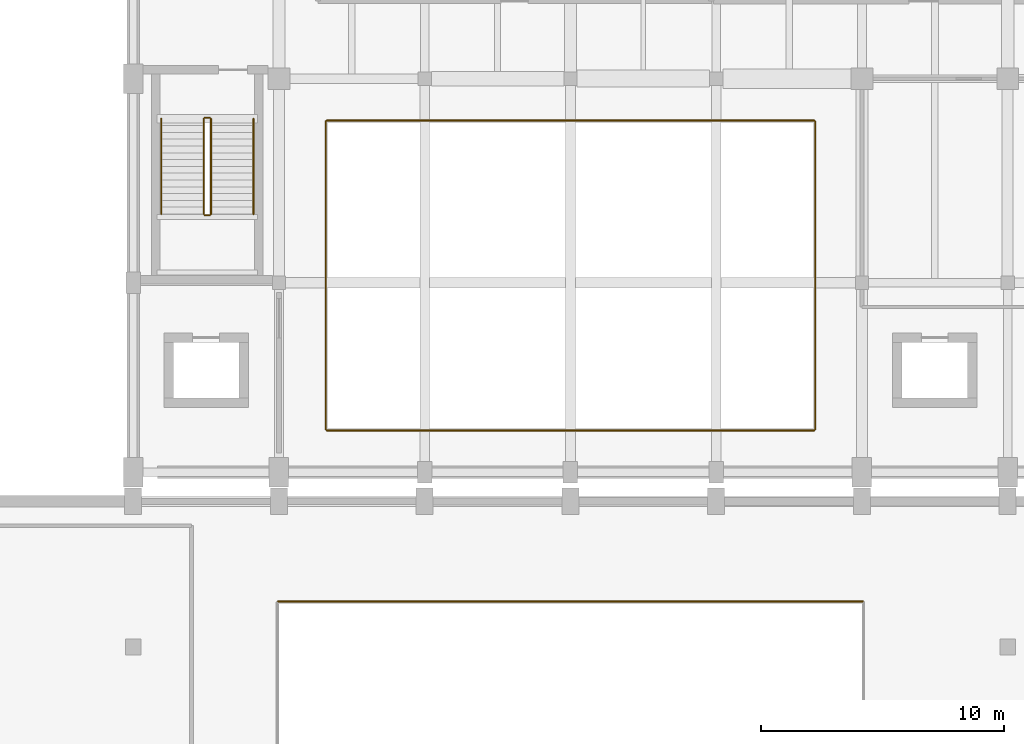
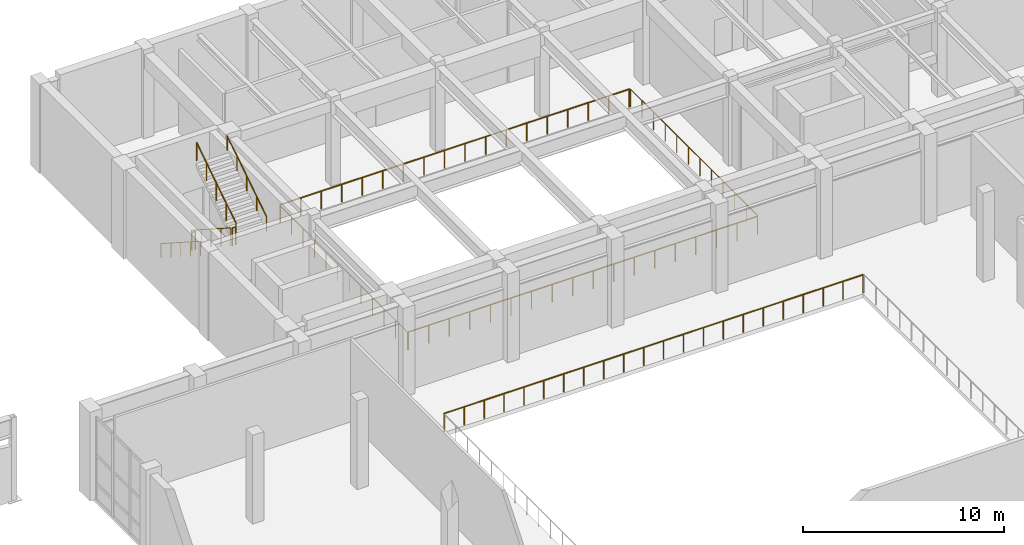
# One storey, part 40 of 41: 11 railings.
"""IFC4 building model written with IfcOpenShell, lengths in metres."""

from ifc_helpers import new_model, si_unit, direction, frame, origin, origin_2d, place, context, subcontext, project, spatial, circle, extrude, material, type_object, element, save


model = new_model("IFC4")

# Units and contexts
model_context = context("Model", 3, precision=1e-05, world=origin(), true_north=direction((0.0, 1.0)))
body_context = subcontext(model_context, "Body", "Model", "MODEL_VIEW")
ifc_project = project(units=[si_unit("LENGTHUNIT", "METRE"), si_unit("AREAUNIT", "SQUARE_METRE"), si_unit("VOLUMEUNIT", "CUBIC_METRE"), si_unit("PLANEANGLEUNIT", "RADIAN"), si_unit("MASSUNIT", "GRAM", prefix="KILO")], contexts=[model_context])

# Site, building, storey
site_placement = place(None, origin())
site = spatial("IfcSite", under=ifc_project, at=site_placement, CompositionType="ELEMENT")
building_placement = place(site_placement, origin())
building = spatial("IfcBuilding", under=site, at=building_placement, Name="Vaelkrest Opera House", CompositionType="ELEMENT")
storey_placement = place(building_placement, frame((0.0, 0.0, 24.60009765625)))
storey = spatial("IfcBuildingStorey", under=building, at=storey_placement, Name="L05", CompositionType="ELEMENT", Elevation=24.60009765625)

# Railings
ifc_material = material(Name="Dark bronze anodized aluminium", Category="aluminium")
railing_type_1 = type_object("IfcRailingType", Name="BL01", PredefinedType="BALUSTRADE", material=ifc_material)
railing_1_placement = place(storey_placement, frame((12.0400390625, 12.080078125, 0.0)))
element("IfcRailing", 1, at=railing_1_placement, inside=storey, type_object=railing_type_1, Name="Atrium/stage void guard V1 L05-1 seg 3", PredefinedType="BALUSTRADE", context=body_context, shape_type="SweptSolid", body=[
    extrude(circle(Radius=0.02392578125, at=origin_2d()), frame((0.0, 0.0, 1.09619140625), z_axis=(-1.0, 0.0, 0.0), x_axis=(0.0, -1.0, 0.0)), (0.0, 0.0, 1.0), 24.080078125),
    extrude(circle(Radius=0.02099609375, at=origin_2d()), origin(), (0.0, 0.0, 1.0), 1.072021484375),
    extrude(circle(Radius=0.02099609375, at=origin_2d()), frame((-1.146728515625, 0.0, 0.0)), (0.0, 0.0, 1.0), 1.072021484375),
    extrude(circle(Radius=0.02099609375, at=origin_2d()), frame((-2.29345703125, 0.0, 0.0)), (0.0, 0.0, 1.0), 1.072021484375),
    extrude(circle(Radius=0.02099609375, at=origin_2d()), frame((-3.43994140625, 0.0, 0.0)), (0.0, 0.0, 1.0), 1.072021484375),
    extrude(circle(Radius=0.02099609375, at=origin_2d()), frame((-4.586669921875, 0.0, 0.0)), (0.0, 0.0, 1.0), 1.072021484375),
    extrude(circle(Radius=0.02099609375, at=origin_2d()), frame((-5.7333984375, 0.0, 0.0)), (0.0, 0.0, 1.0), 1.072021484375),
    extrude(circle(Radius=0.02099609375, at=origin_2d()), frame((-6.880126953125, 0.0, 0.0)), (0.0, 0.0, 1.0), 1.072021484375),
    extrude(circle(Radius=0.02099609375, at=origin_2d()), frame((-8.026611328125, 0.0, 0.0)), (0.0, 0.0, 1.0), 1.072021484375),
    extrude(circle(Radius=0.02099609375, at=origin_2d()), frame((-9.17333984375, 0.0, 0.0)), (0.0, 0.0, 1.0), 1.072021484375),
    extrude(circle(Radius=0.02099609375, at=origin_2d()), frame((-10.320068359375, 0.0, 0.0)), (0.0, 0.0, 1.0), 1.072021484375),
    extrude(circle(Radius=0.02099609375, at=origin_2d()), frame((-11.466796875, 0.0, 0.0)), (0.0, 0.0, 1.0), 1.072021484375),
    extrude(circle(Radius=0.02099609375, at=origin_2d()), frame((-12.61328125, 0.0, 0.0)), (0.0, 0.0, 1.0), 1.072021484375),
    extrude(circle(Radius=0.02099609375, at=origin_2d()), frame((-13.760009765625, 0.0, 0.0)), (0.0, 0.0, 1.0), 1.072021484375),
    extrude(circle(Radius=0.02099609375, at=origin_2d()), frame((-14.90673828125, 0.0, 0.0)), (0.0, 0.0, 1.0), 1.072021484375),
    extrude(circle(Radius=0.02099609375, at=origin_2d()), frame((-16.053466796875, 0.0, 0.0)), (0.0, 0.0, 1.0), 1.072021484375),
    extrude(circle(Radius=0.02099609375, at=origin_2d()), frame((-17.199951171875, 0.0, 0.0)), (0.0, 0.0, 1.0), 1.072021484375),
    extrude(circle(Radius=0.02099609375, at=origin_2d()), frame((-18.3466796875, 0.0, 0.0)), (0.0, 0.0, 1.0), 1.072021484375),
    extrude(circle(Radius=0.02099609375, at=origin_2d()), frame((-19.493408203125, 0.0, 0.0)), (0.0, 0.0, 1.0), 1.072021484375),
    extrude(circle(Radius=0.02099609375, at=origin_2d()), frame((-20.64013671875, 0.0, 0.0)), (0.0, 0.0, 1.0), 1.072021484375),
    extrude(circle(Radius=0.02099609375, at=origin_2d()), frame((-21.78662109375, 0.0, 0.0)), (0.0, 0.0, 1.0), 1.072021484375),
    extrude(circle(Radius=0.02099609375, at=origin_2d()), frame((-22.933349609375, 0.0, 0.0)), (0.0, 0.0, 1.0), 1.072021484375),
    extrude(circle(Radius=0.02099609375, at=origin_2d()), frame((-24.080078125, 0.0, 0.0)), (0.0, 0.0, 1.0), 1.072021484375),
])
railing_type_2 = type_object("IfcRailingType", Name="GR01", PredefinedType="GUARDRAIL", material=ifc_material)
railing_2_placement = place(storey_placement, frame((-10.0400390625, 19.1201171875, 0.0)))
element("IfcRailing", 2, at=railing_2_placement, inside=storey, type_object=railing_type_2, Name="Atrium/stage void guard V2 L05-1 seg 1", PredefinedType="GUARDRAIL", context=body_context, shape_type="SweptSolid", body=[
    extrude(circle(Radius=0.02392578125, at=origin_2d()), frame((0.0, 0.0, 1.076171875), z_axis=(1.0, 0.0, 0.0), x_axis=(0.0, 1.0, 0.0)), (0.0, 0.0, 1.0), 20.080078125),
    extrude(circle(Radius=0.02099609375, at=origin_2d()), origin(), (0.0, 0.0, 1.0), 1.052001953125),
    extrude(circle(Radius=0.02099609375, at=origin_2d()), frame((1.18115234375, 0.0, 0.0)), (0.0, 0.0, 1.0), 1.052001953125),
    extrude(circle(Radius=0.02099609375, at=origin_2d()), frame((2.3623046875, 0.0, 0.0)), (0.0, 0.0, 1.0), 1.052001953125),
    extrude(circle(Radius=0.02099609375, at=origin_2d()), frame((3.54345703125, 0.0, 0.0)), (0.0, 0.0, 1.0), 1.052001953125),
    extrude(circle(Radius=0.02099609375, at=origin_2d()), frame((4.724609375, 0.0, 0.0)), (0.0, 0.0, 1.0), 1.052001953125),
    extrude(circle(Radius=0.02099609375, at=origin_2d()), frame((5.906005859375, 0.0, 0.0)), (0.0, 0.0, 1.0), 1.052001953125),
    extrude(circle(Radius=0.02099609375, at=origin_2d()), frame((7.087158203125, 0.0, 0.0)), (0.0, 0.0, 1.0), 1.052001953125),
    extrude(circle(Radius=0.02099609375, at=origin_2d()), frame((8.268310546875, 0.0, 0.0)), (0.0, 0.0, 1.0), 1.052001953125),
    extrude(circle(Radius=0.02099609375, at=origin_2d()), frame((9.449462890625, 0.0, 0.0)), (0.0, 0.0, 1.0), 1.052001953125),
    extrude(circle(Radius=0.02099609375, at=origin_2d()), frame((10.630615234375, 0.0, 0.0)), (0.0, 0.0, 1.0), 1.052001953125),
    extrude(circle(Radius=0.02099609375, at=origin_2d()), frame((11.811767578125, 0.0, 0.0)), (0.0, 0.0, 1.0), 1.052001953125),
    extrude(circle(Radius=0.02099609375, at=origin_2d()), frame((12.992919921875, 0.0, 0.0)), (0.0, 0.0, 1.0), 1.052001953125),
    extrude(circle(Radius=0.02099609375, at=origin_2d()), frame((14.174072265625, 0.0, 0.0)), (0.0, 0.0, 1.0), 1.052001953125),
    extrude(circle(Radius=0.02099609375, at=origin_2d()), frame((15.35546875, 0.0, 0.0)), (0.0, 0.0, 1.0), 1.052001953125),
    extrude(circle(Radius=0.02099609375, at=origin_2d()), frame((16.53662109375, 0.0, 0.0)), (0.0, 0.0, 1.0), 1.052001953125),
    extrude(circle(Radius=0.02099609375, at=origin_2d()), frame((17.7177734375, 0.0, 0.0)), (0.0, 0.0, 1.0), 1.052001953125),
    extrude(circle(Radius=0.02099609375, at=origin_2d()), frame((18.89892578125, 0.0, 0.0)), (0.0, 0.0, 1.0), 1.052001953125),
    extrude(circle(Radius=0.02099609375, at=origin_2d()), frame((20.080078125, 0.0, 0.0)), (0.0, 0.0, 1.0), 1.052001953125),
])
railing_3_placement = place(storey_placement, frame((10.080078125, 19.159912109375, 0.0)))
element("IfcRailing", 3, at=railing_3_placement, inside=storey, type_object=railing_type_2, Name="Atrium/stage void guard V2 L05-1 seg 2", PredefinedType="GUARDRAIL", context=body_context, shape_type="SweptSolid", body=[
    extrude(circle(Radius=0.02392578125, at=origin_2d()), frame((0.0, 0.0, 1.076171875), z_axis=(0.0, 1.0, 0.0), x_axis=(-1.0, 0.0, 0.0)), (0.0, 0.0, 1.0), 12.68017578125),
    extrude(circle(Radius=0.02099609375, at=origin_2d()), origin(), (0.0, 0.0, 1.0), 1.052001953125),
    extrude(circle(Radius=0.02099609375, at=origin_2d()), frame((0.0, 1.15283203125, 0.0)), (0.0, 0.0, 1.0), 1.052001953125),
    extrude(circle(Radius=0.02099609375, at=origin_2d()), frame((0.0, 2.305419921875, 0.0)), (0.0, 0.0, 1.0), 1.052001953125),
    extrude(circle(Radius=0.02099609375, at=origin_2d()), frame((0.0, 3.458251953125, 0.0)), (0.0, 0.0, 1.0), 1.052001953125),
    extrude(circle(Radius=0.02099609375, at=origin_2d()), frame((0.0, 4.611083984375, 0.0)), (0.0, 0.0, 1.0), 1.052001953125),
    extrude(circle(Radius=0.02099609375, at=origin_2d()), frame((0.0, 5.763671875, 0.0)), (0.0, 0.0, 1.0), 1.052001953125),
    extrude(circle(Radius=0.02099609375, at=origin_2d()), frame((0.0, 6.91650390625, 0.0)), (0.0, 0.0, 1.0), 1.052001953125),
    extrude(circle(Radius=0.02099609375, at=origin_2d()), frame((0.0, 8.069091796875, 0.0)), (0.0, 0.0, 1.0), 1.052001953125),
    extrude(circle(Radius=0.02099609375, at=origin_2d()), frame((0.0, 9.221923828125, 0.0)), (0.0, 0.0, 1.0), 1.052001953125),
    extrude(circle(Radius=0.02099609375, at=origin_2d()), frame((0.0, 10.374755859375, 0.0)), (0.0, 0.0, 1.0), 1.052001953125),
    extrude(circle(Radius=0.02099609375, at=origin_2d()), frame((0.0, 11.52734375, 0.0)), (0.0, 0.0, 1.0), 1.052001953125),
    extrude(circle(Radius=0.02099609375, at=origin_2d()), frame((0.0, 12.68017578125, 0.0)), (0.0, 0.0, 1.0), 1.052001953125),
])
railing_4_placement = place(storey_placement, frame((10.0400390625, 31.8798828125, 0.0)))
element("IfcRailing", 4, at=railing_4_placement, inside=storey, type_object=railing_type_2, Name="Atrium/stage void guard V2 L05-1 seg 3", PredefinedType="GUARDRAIL", context=body_context, shape_type="SweptSolid", body=[
    extrude(circle(Radius=0.02392578125, at=origin_2d()), frame((0.0, 0.0, 1.076171875), z_axis=(-1.0, 0.0, 0.0), x_axis=(0.0, -1.0, 0.0)), (0.0, 0.0, 1.0), 20.080078125),
    extrude(circle(Radius=0.02099609375, at=origin_2d()), origin(), (0.0, 0.0, 1.0), 1.052001953125),
    extrude(circle(Radius=0.02099609375, at=origin_2d()), frame((-1.18115234375, 0.0, 0.0)), (0.0, 0.0, 1.0), 1.052001953125),
    extrude(circle(Radius=0.02099609375, at=origin_2d()), frame((-2.3623046875, 0.0, 0.0)), (0.0, 0.0, 1.0), 1.052001953125),
    extrude(circle(Radius=0.02099609375, at=origin_2d()), frame((-3.54345703125, 0.0, 0.0)), (0.0, 0.0, 1.0), 1.052001953125),
    extrude(circle(Radius=0.02099609375, at=origin_2d()), frame((-4.724609375, 0.0, 0.0)), (0.0, 0.0, 1.0), 1.052001953125),
    extrude(circle(Radius=0.02099609375, at=origin_2d()), frame((-5.906005859375, 0.0, 0.0)), (0.0, 0.0, 1.0), 1.052001953125),
    extrude(circle(Radius=0.02099609375, at=origin_2d()), frame((-7.087158203125, 0.0, 0.0)), (0.0, 0.0, 1.0), 1.052001953125),
    extrude(circle(Radius=0.02099609375, at=origin_2d()), frame((-8.268310546875, 0.0, 0.0)), (0.0, 0.0, 1.0), 1.052001953125),
    extrude(circle(Radius=0.02099609375, at=origin_2d()), frame((-9.449462890625, 0.0, 0.0)), (0.0, 0.0, 1.0), 1.052001953125),
    extrude(circle(Radius=0.02099609375, at=origin_2d()), frame((-10.630615234375, 0.0, 0.0)), (0.0, 0.0, 1.0), 1.052001953125),
    extrude(circle(Radius=0.02099609375, at=origin_2d()), frame((-11.811767578125, 0.0, 0.0)), (0.0, 0.0, 1.0), 1.052001953125),
    extrude(circle(Radius=0.02099609375, at=origin_2d()), frame((-12.992919921875, 0.0, 0.0)), (0.0, 0.0, 1.0), 1.052001953125),
    extrude(circle(Radius=0.02099609375, at=origin_2d()), frame((-14.174072265625, 0.0, 0.0)), (0.0, 0.0, 1.0), 1.052001953125),
    extrude(circle(Radius=0.02099609375, at=origin_2d()), frame((-15.35546875, 0.0, 0.0)), (0.0, 0.0, 1.0), 1.052001953125),
    extrude(circle(Radius=0.02099609375, at=origin_2d()), frame((-16.53662109375, 0.0, 0.0)), (0.0, 0.0, 1.0), 1.052001953125),
    extrude(circle(Radius=0.02099609375, at=origin_2d()), frame((-17.7177734375, 0.0, 0.0)), (0.0, 0.0, 1.0), 1.052001953125),
    extrude(circle(Radius=0.02099609375, at=origin_2d()), frame((-18.89892578125, 0.0, 0.0)), (0.0, 0.0, 1.0), 1.052001953125),
    extrude(circle(Radius=0.02099609375, at=origin_2d()), frame((-20.080078125, 0.0, 0.0)), (0.0, 0.0, 1.0), 1.052001953125),
])
railing_5_placement = place(storey_placement, frame((-10.080078125, 31.840087890625, 0.0)))
element("IfcRailing", 5, at=railing_5_placement, inside=storey, type_object=railing_type_2, Name="Atrium/stage void guard V2 L05-1 seg 4", PredefinedType="GUARDRAIL", context=body_context, shape_type="SweptSolid", body=[
    extrude(circle(Radius=0.02392578125, at=origin_2d()), frame((0.0, 0.0, 1.076171875), z_axis=(0.0, -1.0, 0.0), x_axis=(1.0, 0.0, 0.0)), (0.0, 0.0, 1.0), 12.68017578125),
    extrude(circle(Radius=0.02099609375, at=origin_2d()), origin(), (0.0, 0.0, 1.0), 1.052001953125),
    extrude(circle(Radius=0.02099609375, at=origin_2d()), frame((0.0, -1.15283203125, 0.0)), (0.0, 0.0, 1.0), 1.052001953125),
    extrude(circle(Radius=0.02099609375, at=origin_2d()), frame((0.0, -2.305419921875, 0.0)), (0.0, 0.0, 1.0), 1.052001953125),
    extrude(circle(Radius=0.02099609375, at=origin_2d()), frame((0.0, -3.458251953125, 0.0)), (0.0, 0.0, 1.0), 1.052001953125),
    extrude(circle(Radius=0.02099609375, at=origin_2d()), frame((0.0, -4.611083984375, 0.0)), (0.0, 0.0, 1.0), 1.052001953125),
    extrude(circle(Radius=0.02099609375, at=origin_2d()), frame((0.0, -5.763671875, 0.0)), (0.0, 0.0, 1.0), 1.052001953125),
    extrude(circle(Radius=0.02099609375, at=origin_2d()), frame((0.0, -6.91650390625, 0.0)), (0.0, 0.0, 1.0), 1.052001953125),
    extrude(circle(Radius=0.02099609375, at=origin_2d()), frame((0.0, -8.069091796875, 0.0)), (0.0, 0.0, 1.0), 1.052001953125),
    extrude(circle(Radius=0.02099609375, at=origin_2d()), frame((0.0, -9.221923828125, 0.0)), (0.0, 0.0, 1.0), 1.052001953125),
    extrude(circle(Radius=0.02099609375, at=origin_2d()), frame((0.0, -10.374755859375, 0.0)), (0.0, 0.0, 1.0), 1.052001953125),
    extrude(circle(Radius=0.02099609375, at=origin_2d()), frame((0.0, -11.52734375, 0.0)), (0.0, 0.0, 1.0), 1.052001953125),
    extrude(circle(Radius=0.02099609375, at=origin_2d()), frame((0.0, -12.68017578125, 0.0)), (0.0, 0.0, 1.0), 1.052001953125),
])
railing_type_3 = type_object("IfcRailingType", Name="GR02", PredefinedType="GUARDRAIL", material=ifc_material)
railing_6_placement = place(storey_placement, frame((-15.10009765625, 31.949951171875, 0.179931640625)))
element("IfcRailing", 6, at=railing_6_placement, inside=storey, type_object=railing_type_3, Name="L05 ST05 stair guard 1", PredefinedType="GUARDRAIL", context=body_context, shape_type="SweptSolid", body=[
    extrude(circle(Radius=0.02392578125, at=origin_2d()), frame((0.0, 0.0, 1.076171875), z_axis=(0.0, -0.841171666519, 0.540768182723), x_axis=(1.0, 0.0, 0.0)), (0.0, 0.0, 1.0), 4.66015625),
    extrude(circle(Radius=0.02099609375, at=origin_2d()), origin(), (0.0, 0.0, 1.0), 1.052001953125),
    extrude(circle(Radius=0.02099609375, at=origin_2d()), frame((0.0, -0.97998046875, 0.6298828125)), (0.0, 0.0, 1.0), 1.052001953125),
    extrude(circle(Radius=0.02099609375, at=origin_2d()), frame((0.0, -1.9599609375, 1.260009765625)), (0.0, 0.0, 1.0), 1.052001953125),
    extrude(circle(Radius=0.02099609375, at=origin_2d()), frame((0.0, -2.93994140625, 1.89013671875)), (0.0, 0.0, 1.0), 1.052001953125),
    extrude(circle(Radius=0.02099609375, at=origin_2d()), frame((0.0, -3.919921875, 2.52001953125)), (0.0, 0.0, 1.0), 1.052001953125),
])
railing_7_placement = place(storey_placement, frame((-15.050048828125, 27.97998046875, 2.699951171875)))
element("IfcRailing", 7, at=railing_7_placement, inside=storey, type_object=railing_type_3, Name="L05 ST05 stair guard 2", PredefinedType="GUARDRAIL", context=body_context, shape_type="SweptSolid", body=[
    extrude(circle(Radius=0.02392578125, at=origin_2d()), frame((0.0, 0.0, 1.076171875), z_axis=(1.0, 0.0, 0.0), x_axis=(0.0, 1.0, 0.0)), (0.0, 0.0, 1.0), 0.199951171875),
    extrude(circle(Radius=0.02099609375, at=origin_2d()), origin(), (0.0, 0.0, 1.0), 1.052001953125),
    extrude(circle(Radius=0.02099609375, at=origin_2d()), frame((0.199951171875, 0.0, 0.0)), (0.0, 0.0, 1.0), 1.052001953125),
])
railing_8_placement = place(storey_placement, frame((-14.800048828125, 28.030029296875, 2.8798828125)))
element("IfcRailing", 8, at=railing_8_placement, inside=storey, type_object=railing_type_3, Name="L05 ST05 stair guard 3", PredefinedType="GUARDRAIL", context=body_context, shape_type="SweptSolid", body=[
    extrude(circle(Radius=0.02392578125, at=origin_2d()), frame((0.0, 0.0, 1.076171875), z_axis=(0.0, 0.841171666519, 0.540768182723), x_axis=(-1.0, 0.0, 0.0)), (0.0, 0.0, 1.0), 4.66015625),
    extrude(circle(Radius=0.02099609375, at=origin_2d()), origin(), (0.0, 0.0, 1.0), 1.052001953125),
    extrude(circle(Radius=0.02099609375, at=origin_2d()), frame((0.0, 0.97998046875, 0.6298828125)), (0.0, 0.0, 1.0), 1.052001953125),
    extrude(circle(Radius=0.02099609375, at=origin_2d()), frame((0.0, 1.9599609375, 1.260009765625)), (0.0, 0.0, 1.0), 1.052001953125),
    extrude(circle(Radius=0.02099609375, at=origin_2d()), frame((0.0, 2.93994140625, 1.89013671875)), (0.0, 0.0, 1.0), 1.052001953125),
    extrude(circle(Radius=0.02099609375, at=origin_2d()), frame((0.0, 3.919921875, 2.52001953125)), (0.0, 0.0, 1.0), 1.052001953125),
])
railing_9_placement = place(storey_placement, frame((-15.050048828125, 32.0, 0.0)))
element("IfcRailing", 9, at=railing_9_placement, inside=storey, type_object=railing_type_3, Name="L05 ST05 stair guard 4", PredefinedType="GUARDRAIL", context=body_context, shape_type="SweptSolid", body=[
    extrude(circle(Radius=0.02392578125, at=origin_2d()), frame((0.0, 0.0, 1.076171875), z_axis=(1.0, 0.0, 0.0), x_axis=(0.0, 1.0, 0.0)), (0.0, 0.0, 1.0), 0.199951171875),
    extrude(circle(Radius=0.02099609375, at=origin_2d()), origin(), (0.0, 0.0, 1.0), 1.052001953125),
    extrude(circle(Radius=0.02099609375, at=origin_2d()), frame((0.199951171875, 0.0, 0.0)), (0.0, 0.0, 1.0), 1.052001953125),
])
railing_type_4 = type_object("IfcRailingType", Name="HR02", PredefinedType="HANDRAIL", material=ifc_material)
railing_10_placement = place(storey_placement, frame((-16.85009765625, 31.949951171875, 0.179931640625)))
element("IfcRailing", 10, at=railing_10_placement, inside=storey, type_object=railing_type_4, Name="L05 ST05 stair handrail 1", PredefinedType="HANDRAIL", context=body_context, shape_type="SweptSolid", body=[
    extrude(circle(Radius=0.02392578125, at=origin_2d()), frame((0.0, 0.0, 0.8759765625), z_axis=(0.0, -0.841171666519, 0.540768182723), x_axis=(1.0, 0.0, 0.0)), (0.0, 0.0, 1.0), 4.66015625),
    extrude(circle(Radius=0.02099609375, at=origin_2d()), origin(), (0.0, 0.0, 1.0), 0.851806640625),
    extrude(circle(Radius=0.02099609375, at=origin_2d()), frame((0.0, -0.97998046875, 0.6298828125)), (0.0, 0.0, 1.0), 0.851806640625),
    extrude(circle(Radius=0.02099609375, at=origin_2d()), frame((0.0, -1.9599609375, 1.260009765625)), (0.0, 0.0, 1.0), 0.851806640625),
    extrude(circle(Radius=0.02099609375, at=origin_2d()), frame((0.0, -2.93994140625, 1.89013671875)), (0.0, 0.0, 1.0), 0.851806640625),
    extrude(circle(Radius=0.02099609375, at=origin_2d()), frame((0.0, -3.919921875, 2.52001953125)), (0.0, 0.0, 1.0), 0.851806640625),
])
railing_11_placement = place(storey_placement, frame((-13.050048828125, 28.030029296875, 2.8798828125)))
element("IfcRailing", 11, at=railing_11_placement, inside=storey, type_object=railing_type_4, Name="L05 ST05 stair handrail 2", PredefinedType="HANDRAIL", context=body_context, shape_type="SweptSolid", body=[
    extrude(circle(Radius=0.02392578125, at=origin_2d()), frame((0.0, 0.0, 0.8759765625), z_axis=(0.0, 0.841171666519, 0.540768182723), x_axis=(-1.0, 0.0, 0.0)), (0.0, 0.0, 1.0), 4.66015625),
    extrude(circle(Radius=0.02099609375, at=origin_2d()), origin(), (0.0, 0.0, 1.0), 0.851806640625),
    extrude(circle(Radius=0.02099609375, at=origin_2d()), frame((0.0, 0.97998046875, 0.6298828125)), (0.0, 0.0, 1.0), 0.851806640625),
    extrude(circle(Radius=0.02099609375, at=origin_2d()), frame((0.0, 1.9599609375, 1.260009765625)), (0.0, 0.0, 1.0), 0.851806640625),
    extrude(circle(Radius=0.02099609375, at=origin_2d()), frame((0.0, 2.93994140625, 1.89013671875)), (0.0, 0.0, 1.0), 0.851806640625),
    extrude(circle(Radius=0.02099609375, at=origin_2d()), frame((0.0, 3.919921875, 2.52001953125)), (0.0, 0.0, 1.0), 0.851806640625),
])

save(model, "model.ifc")
